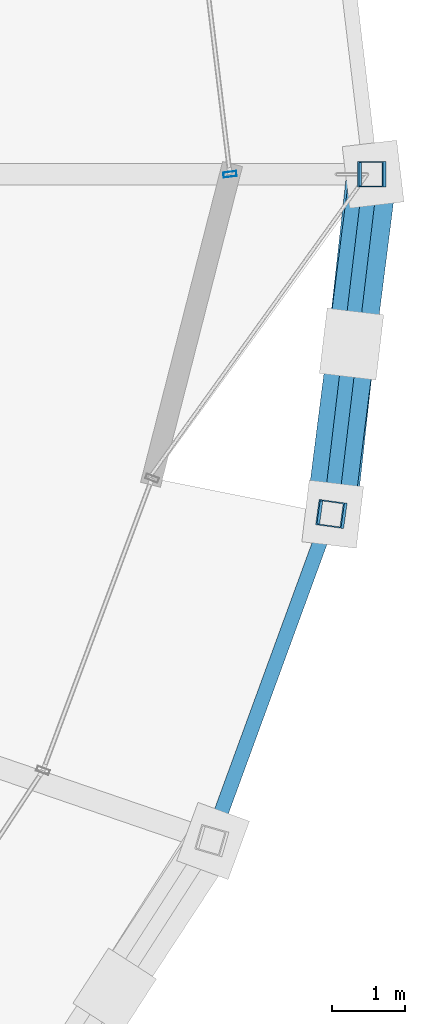
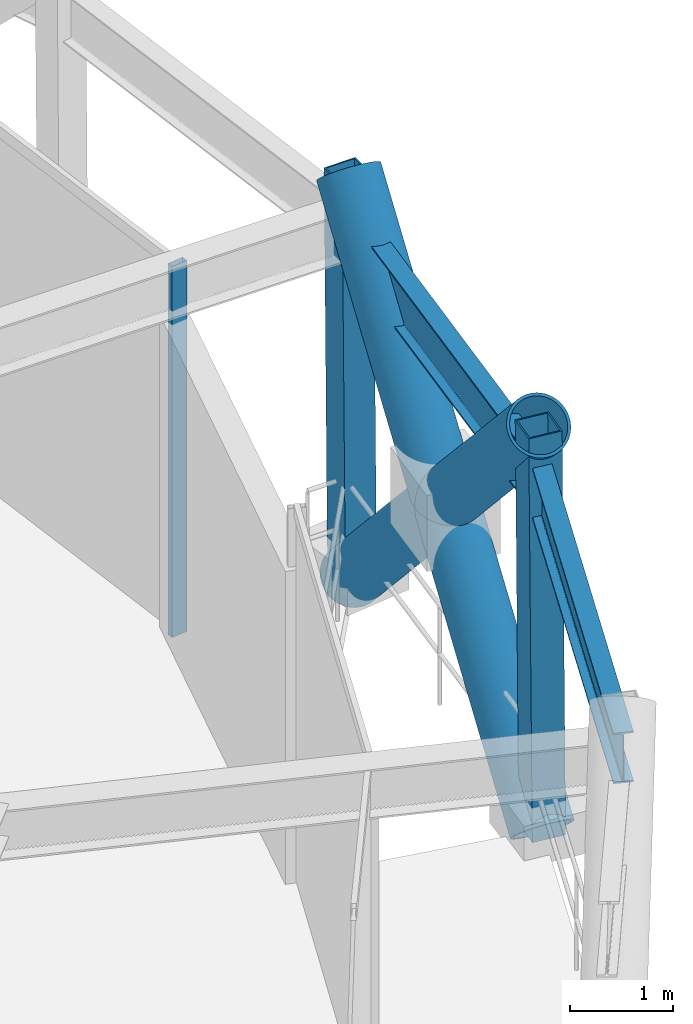
# One storey, part 19 of 39: 6 members, 2 beams, 1 element without a shape of its own.
"""IFC4 building model written with IfcOpenShell, lengths in metres."""

from ifc_helpers import new_model, si_unit, direction, frame, origin, origin_2d, place, context, subcontext, project, spatial, hollow_rectangle, hollow_circle, i_section, extrude, material, layer, layer_set, material_profile, profile_set, type_object, element, aggregate, save


model = new_model("IFC4")

# Units and contexts
model_context = context("Model", 3, precision=1e-05, world=origin(), true_north=direction((0.0, 1.0)))
body_context = subcontext(model_context, "Body", "Model", "MODEL_VIEW")
ifc_project = project(units=[si_unit("LENGTHUNIT", "METRE"), si_unit("AREAUNIT", "SQUARE_METRE"), si_unit("VOLUMEUNIT", "CUBIC_METRE"), si_unit("PLANEANGLEUNIT", "RADIAN"), si_unit("MASSUNIT", "GRAM", prefix="KILO")], contexts=[model_context])

# Site, building, storey
site_placement = place(None, origin())
site = spatial("IfcSite", under=ifc_project, at=site_placement, CompositionType="ELEMENT")
building_placement = place(site_placement, origin())
building = spatial("IfcBuilding", under=site, at=building_placement, Name="Veldorina Hangang Commons", CompositionType="ELEMENT")
storey_placement = place(building_placement, frame((0.0, 0.0, 106.0)))
storey = spatial("IfcBuildingStorey", under=building, at=storey_placement, Name="L27", CompositionType="ELEMENT", Elevation=106.0)

# Beams
ifc_material_1 = material(Name="Steel SM420-TMC", Category="steel")
ifc_material_profile_1 = material_profile(ifc_material_1, i_section(OverallWidth=0.199951171875, OverallDepth=0.60009765625, WebThickness=0.010986328125, FlangeThickness=0.01708984375, FilletRadius=0.01806640625, at=origin_2d()), Name="H-600x200x11x17")
ifc_profile_set_1 = profile_set([ifc_material_profile_1], Name="Steel SM420-TMC")
beam_type = type_object("IfcBeamType", Name="BM-RB600", PredefinedType="BEAM", material=ifc_profile_set_1)
beam_1_placement = place(storey_placement, frame((58.56201171875, 14.882568359375, 4.139892578125), z_axis=(0.343748150279, 0.939061877184, 0.0), x_axis=(-0.939061877184, 0.343748150279, 0.0)))
element("IfcBeam", 1, at=beam_1_placement, inside=storey, type_object=beam_type, Name="L27 perimeter hoop ring beam 30", PredefinedType="BEAM", context=body_context, shape_type="SweptSolid", body=[
    extrude(i_section(OverallWidth=0.199951171875, OverallDepth=0.60009765625, WebThickness=0.010986328125, FlangeThickness=0.01708984375, FilletRadius=0.01806640625, at=origin_2d()), origin(), (0.0, 0.0, 1.0), 4.75927734375),
])
beam_2_placement = place(storey_placement, frame((60.197998046875, 19.351806640625, 4.139892578125), z_axis=(0.118030441643, 0.993009977214, 0.0), x_axis=(-0.993009977214, 0.118030441643, 0.0)))
element("IfcBeam", 2, at=beam_2_placement, inside=storey, type_object=beam_type, Name="L27 perimeter hoop ring beam 31", PredefinedType="BEAM", context=body_context, shape_type="SweptSolid", body=[
    extrude(i_section(OverallWidth=0.199951171875, OverallDepth=0.60009765625, WebThickness=0.010986328125, FlangeThickness=0.01708984375, FilletRadius=0.01806640625, at=origin_2d()), origin(), (0.0, 0.0, 1.0), 4.680908203125),
])

# Curtain wall, member
ifc_material_2 = material(Name="Glass Acoustic Laminated", Category="glass")
ifc_layer = layer(ifc_material_2, 0.179931640625)
ifc_layer_set = layer_set([ifc_layer], Name="Glass Acoustic Laminated")
curtain_wall_type = type_object("IfcCurtainWallType", Name="CW-SYS-SKY", PredefinedType="NOTDEFINED", material=ifc_layer_set)
curtain_wall_placement = place(storey_placement, origin())
curtain_wall = element("IfcCurtainWall", 3, at=curtain_wall_placement, inside=storey, type_object=curtain_wall_type, Name="L27 unitised curtain wall CW-L27-R1", PredefinedType="NOTDEFINED")
ifc_material_3 = material(Name="Aluminium Anodized AA6063-T6", Category="aluminium")
ifc_material_profile_2 = material_profile(ifc_material_3, hollow_rectangle(XDim=0.070068359375, YDim=0.179931640625, WallThickness=0.00390625, at=origin_2d()), Name="ALU-RHS-180x70x4")
ifc_profile_set_2 = profile_set([ifc_material_profile_2], Name="Aluminium Anodized AA6063-T6")
member_type_1 = type_object("IfcMemberType", Name="CW-MUL-180", PredefinedType="MULLION", material=ifc_profile_set_2)
member_1_placement = place(storey_placement, frame((58.822998046875, 24.0, 0.0), z_axis=(0.0, 0.0, 1.0), x_axis=(-0.119824948994, 0.992795035039, 0.0)))
member_1 = element("IfcMember", 4, at=member_1_placement, type_object=member_type_1, Name="CW-L27-R1 vertical mullion 1", PredefinedType="MULLION", context=body_context, shape_type="SweptSolid", body=[
    extrude(hollow_rectangle(XDim=0.070068359375, YDim=0.179931640625, WallThickness=0.00390625, at=origin_2d()), origin(), (0.0, 0.0, 1.0), 4.39990234375),
])
aggregate(curtain_wall, [member_1])

# Members
ifc_material_4 = material(Name="Steel SM460-TMC", Category="steel")
ifc_material_profile_3 = material_profile(ifc_material_4, hollow_circle(Radius=0.324951171875, WallThickness=0.031982421875, at=origin_2d()), Name="CHS-650x32")
ifc_profile_set_3 = profile_set([ifc_material_profile_3], Name="Steel SM460-TMC")
member_type_2 = type_object("IfcMemberType", Name="DG-CHS650", PredefinedType="BRACE", material=ifc_profile_set_3)
member_2_placement = place(storey_placement, frame((60.229736328125, 19.347412109375, 0.0), z_axis=(0.07686888584, 0.693931955212, 0.71592570559), x_axis=(-0.993920569442, 0.110099507902, 0.0)))
element("IfcMember", 5, at=member_2_placement, inside=storey, type_object=member_type_2, Name="L27 continuous perimeter diagrid brace 31", PredefinedType="BRACE", context=body_context, shape_type="SweptSolid", body=[
    extrude(hollow_circle(Radius=0.324951171875, WallThickness=0.031982421875, at=origin_2d()), origin(), (0.0, 0.0, 1.0), 6.70458984375),
])
member_3_placement = place(storey_placement, frame((60.782958984375, 24.0, 0.0), z_axis=(-0.088038186296, -0.692882353797, 0.715655868103), x_axis=(0.992024221047, -0.126047391312, 0.0)))
element("IfcMember", 6, at=member_3_placement, inside=storey, type_object=member_type_2, Name="L27 split perimeter diagrid lower brace 00", PredefinedType="BRACE", context=body_context, shape_type="SweptSolid", body=[
    extrude(hollow_circle(Radius=0.324951171875, WallThickness=0.031982421875, at=origin_2d()), origin(), (0.0, 0.0, 1.0), 3.35546875),
])
member_4_placement = place(storey_placement, frame((60.487548828125, 21.675048828125, 2.4013671875), z_axis=(-0.087916276136, -0.692914279109, 0.715639944523), x_axis=(0.992046756088, -0.125869907978, 0.0)))
element("IfcMember", 7, at=member_4_placement, inside=storey, type_object=member_type_2, Name="L27 split perimeter diagrid upper brace 00", PredefinedType="BRACE", context=body_context, shape_type="SweptSolid", body=[
    extrude(hollow_circle(Radius=0.324951171875, WallThickness=0.031982421875, at=origin_2d()), origin(), (0.0, 0.0, 1.0), 3.351806640625),
])
ifc_material_5 = material(Name="Steel SM355-TMC", Category="steel")
ifc_material_profile_4 = material_profile(ifc_material_5, hollow_rectangle(XDim=0.35009765625, YDim=0.35009765625, WallThickness=0.01611328125, at=origin_2d()), Name="SHS-350x350x16")
ifc_profile_set_4 = profile_set([ifc_material_profile_4], Name="Steel SM355-TMC")
member_type_3 = type_object("IfcMemberType", Name="STR-SHS350", PredefinedType="STRUT", material=ifc_profile_set_4)
for number, where, z_axis, x_axis, name in (
    (8, (60.782958984375, 24.0, 0.0), (-0.007883382507, 0.0, 0.999968925657), (0.0, -1.0, 0.0), "L27 perimeter ring node post 00"),
    (9, (60.229736328125, 19.347412109375, 0.0), (-0.007679948156, 0.00106807226, 0.999969938357), (-0.137747125984, -0.990467429693, 0.0), "L27 perimeter ring node post 31"),
):
    element("IfcMember", number, at=place(storey_placement, frame(where, z_axis=z_axis, x_axis=x_axis)), inside=storey, type_object=member_type_3, Name=name, PredefinedType="STRUT", context=body_context, shape_type="SweptSolid", body=[
        extrude(hollow_rectangle(XDim=0.35009765625, YDim=0.35009765625, WallThickness=0.01611328125, at=origin_2d()), origin(), (0.0, 0.0, 1.0), 4.80029296875),
    ])

save(model, "model.ifc")
